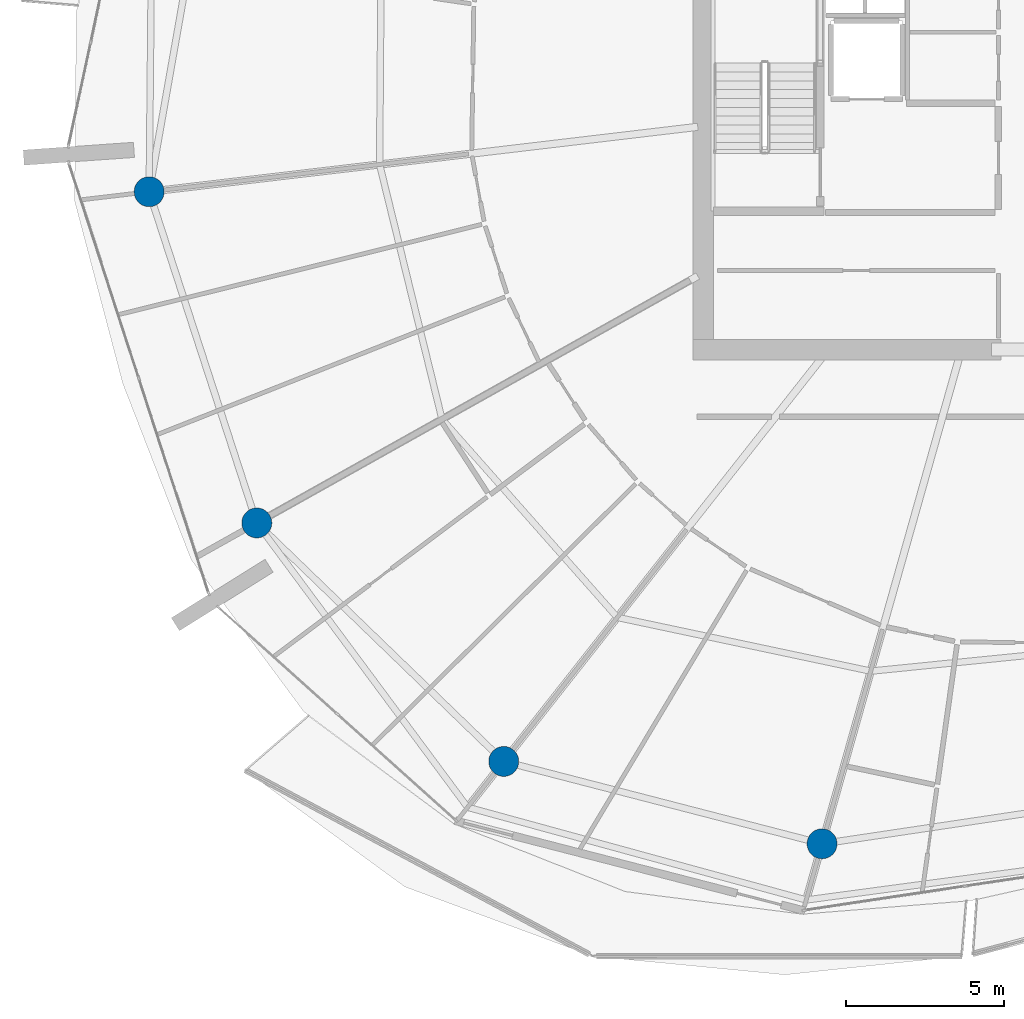
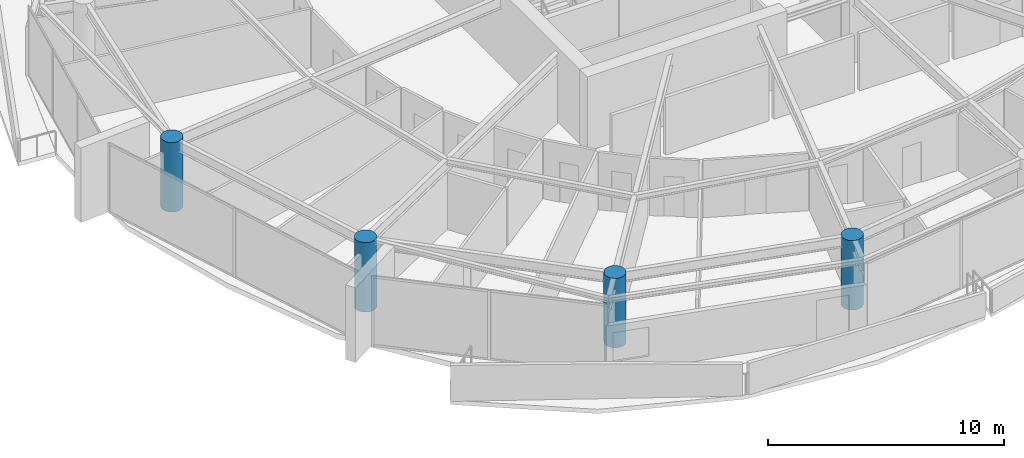
# One storey, part 1 of 31: 4 columns.
"""IFC4 building model written with IfcOpenShell, lengths in metres."""

import ifcopenshell
import ifcopenshell.guid

model = None  # the IFC model being written
_history = None  # IfcOwnerHistory: only IFC2X3 demands one
_inside = {}  # id of a spatial element -> (the spatial element, [elements in it])
_under = {}  # id of a project, library or spatial element -> (it, [spatial elements below it])
_declared = {}  # id of a project -> (the project, [libraries it declares])
_typed = {}  # id of a type object -> (the type object, [elements of that type])
_made_of = {}  # id of a material, layer set ... -> (it, [elements and type objects made of it])


def new_model(schema):
    """Start an empty IFC model of exactly this schema.

    Asked for "IFC4X3", IfcOpenShell would pick the latest addendum, in which some entities
    have other attributes; the version numbers below select the first issue.
    IFC2X3 requires an IfcOwnerHistory on every rooted entity: one is made here for all.
    """
    global model, _history
    if schema == "IFC4X3":
        model = ifcopenshell.file(schema_version=(4, 3, 0, 0))
    else:
        model = ifcopenshell.file(schema=schema)
    _inside.clear()
    _under.clear()
    _declared.clear()
    _typed.clear()
    _made_of.clear()
    _history = None
    if model.schema == "IFC2X3":
        org = make("IfcOrganization", Name="unknown")
        user = make(
            "IfcPersonAndOrganization",
            ThePerson=make("IfcPerson", FamilyName="unknown"),
            TheOrganization=org,
        )
        app = make(
            "IfcApplication",
            ApplicationDeveloper=org,
            Version="unknown",
            ApplicationFullName="unknown",
            ApplicationIdentifier="unknown",
        )
        _history = make(
            "IfcOwnerHistory",
            OwningUser=user,
            OwningApplication=app,
            ChangeAction="ADDED",
            CreationDate=0,
        )
    return model


def make(cls, **values):
    """One entity of the class cls with the attributes given. An attribute that is None is left unset."""
    return model.create_entity(
        cls, **{name: value for name, value in values.items() if value is not None}
    )


def rooted(cls, **values):
    """An entity with a GlobalId (a new one), such as an element, a storey or a relation."""
    return make(cls, GlobalId=ifcopenshell.guid.new(), OwnerHistory=_history, **values)


def si_unit(unit_type, name, prefix=None):
    """IfcSIUnit, for example si_unit("LENGTHUNIT", "METRE", prefix="MILLI")."""
    return make("IfcSIUnit", UnitType=unit_type, Prefix=prefix, Name=name)


def assignment(units):
    """IfcUnitAssignment: the units of a project."""
    return None if units is None else make("IfcUnitAssignment", Units=units)


def point(xyz):
    """IfcCartesianPoint."""
    return None if xyz is None else make("IfcCartesianPoint", Coordinates=xyz)


def direction(xyz):
    """IfcDirection."""
    return None if xyz is None else make("IfcDirection", DirectionRatios=xyz)


def frame(location, z_axis=None, x_axis=None):
    """IfcAxis2Placement3D, a coordinate frame: its origin and axes. An axis left out is left unset."""
    return make(
        "IfcAxis2Placement3D",
        Location=point(location),
        Axis=direction(z_axis),
        RefDirection=direction(x_axis),
    )


def frame_2d(location, x_axis=None):
    """IfcAxis2Placement2D, a coordinate frame in the plane: its origin and x axis."""
    return make(
        "IfcAxis2Placement2D", Location=point(location), RefDirection=direction(x_axis)
    )


def origin():
    """The frame at (0, 0, 0) with its axes left unset."""
    return frame((0.0, 0.0, 0.0))


def origin_2d():
    """The frame at (0, 0) in the plane with its x axis left unset."""
    return frame_2d((0.0, 0.0))


def place(relative_to, where):
    """IfcLocalPlacement: puts the frame where relative to a parent placement (None: the world)."""
    return make(
        "IfcLocalPlacement", PlacementRelTo=relative_to, RelativePlacement=where
    )


def context(
    kind, dimensions, precision=None, world=None, true_north=None, identifier=None
):
    """IfcGeometricRepresentationContext, for example the 3D "Model" context."""
    return make(
        "IfcGeometricRepresentationContext",
        ContextIdentifier=identifier,
        ContextType=kind,
        CoordinateSpaceDimension=dimensions,
        Precision=precision,
        WorldCoordinateSystem=world,
        TrueNorth=true_north,
    )


def subcontext(parent, identifier, kind, view, scale=None):
    """IfcGeometricRepresentationSubContext, for example "Body" below "Model"."""
    return make(
        "IfcGeometricRepresentationSubContext",
        ContextIdentifier=identifier,
        ContextType=kind,
        ParentContext=parent,
        TargetScale=scale,
        TargetView=view,
    )


def project(units=None, contexts=None):
    """IfcProject with its units and contexts."""
    return rooted(
        "IfcProject",
        Name="project",
        RepresentationContexts=contexts,
        UnitsInContext=assignment(units),
    )


def spatial(cls, under=None, at=None, **own):
    """A site, building, storey or space (cls), placed at a placement, below another one or the project."""
    s = rooted(cls, ObjectPlacement=at, **own)
    if under is not None:
        _under.setdefault(under.id(), (under, []))[1].append(s)
    return s


def profile(cls, at=None, kind="AREA", **sizes):
    """A parametric profile (cls). Its sizes go by their IFC names, for example OverallWidth=200.0."""
    return make(cls, ProfileType=kind, Position=at, **sizes)


def circle(**sizes):
    """IfcCircleProfileDef."""
    return profile("IfcCircleProfileDef", **sizes)


def extrude(swept, where, along, depth):
    """IfcExtrudedAreaSolid: the profile swept, set in the frame where, extruded along a direction by depth."""
    return make(
        "IfcExtrudedAreaSolid",
        SweptArea=swept,
        Position=where,
        ExtrudedDirection=direction(along),
        Depth=depth,
    )


def shape(context_of_items, identifier, shape_type, items):
    """IfcShapeRepresentation: the items that make up one representation, for example the "Body"."""
    return make(
        "IfcShapeRepresentation",
        ContextOfItems=context_of_items,
        RepresentationIdentifier=identifier,
        RepresentationType=shape_type,
        Items=items,
    )


def material(Name=None, Category=None):
    """IfcMaterial."""
    return make("IfcMaterial", Name=Name, Category=Category)


def material_profile(
    of_material, cross_section, Name=None, Category=None, Priority=None
):
    """IfcMaterialProfile: a cross section and its material."""
    return make(
        "IfcMaterialProfile",
        Name=Name,
        Material=of_material,
        Profile=cross_section,
        Priority=Priority,
        Category=Category,
    )


def profile_set(profiles, Name=None, composite=None):
    """IfcMaterialProfileSet."""
    return make(
        "IfcMaterialProfileSet",
        Name=Name,
        MaterialProfiles=profiles,
        CompositeProfile=composite,
    )


def made_of(thing, what):
    """Note that an element or type object is made of a material, layer set ...; save() writes the relation."""
    if what is not None:
        _made_of.setdefault(what.id(), (what, []))[1].append(thing)
    return thing


def type_object(cls, material=None, **own):
    """A type object (cls), such as IfcWallType, which elements share."""
    return made_of(rooted(cls, **own), material)


def element(
    cls,
    number,
    at=None,
    inside=None,
    cuts=None,
    type_object=None,
    material=None,
    context=None,
    identifier="Body",
    shape_type=None,
    held_by="IfcProductDefinitionShape",
    body=None,
    shapes=None,
    **own,
):
    """One element of the class cls, such as IfcWall. Its Tag is "e" and its number.

    at: its placement. inside: the storey or other place that contains it. cuts: it is an
    opening in that element (IfcRelVoidsElement). A single representation is given by context,
    identifier, shape_type and body (its items); several are given by shapes. held_by: the class
    of the entity that holds the representations. save() writes the other relations.
    """
    e = rooted(cls, Tag="e%d" % number, ObjectPlacement=at, **own)
    if body is not None:
        shapes = [shape(context, identifier, shape_type, body)]
    if shapes is not None:
        e.Representation = make(held_by, Representations=shapes)
    if inside is not None:
        _inside.setdefault(inside.id(), (inside, []))[1].append(e)
    if cuts is not None:
        rooted(
            "IfcRelVoidsElement", RelatingBuildingElement=cuts, RelatedOpeningElement=e
        )
    if type_object is not None:
        _typed.setdefault(type_object.id(), (type_object, []))[1].append(e)
    return made_of(e, material)


def aggregate(whole, parts):
    """IfcRelAggregates: a whole, such as a stair, and the parts it consists of."""
    return rooted("IfcRelAggregates", RelatingObject=whole, RelatedObjects=parts)


def save(model, path):
    """Write the relations noted so far, then the file.

    IfcRelAggregates (storeys below a building ...), IfcRelContainedInSpatialStructure (elements
    in a storey), IfcRelDefinesByType, IfcRelAssociatesMaterial and IfcRelDeclares: one each for
    every whole, place, type object, material and project.
    """
    for whole, parts in _under.values():
        aggregate(whole, parts)
    for where, things in _inside.values():
        rooted(
            "IfcRelContainedInSpatialStructure",
            RelatedElements=things,
            RelatingStructure=where,
        )
    for kind, things in _typed.values():
        rooted("IfcRelDefinesByType", RelatedObjects=things, RelatingType=kind)
    for what, things in _made_of.values():
        rooted("IfcRelAssociatesMaterial", RelatedObjects=things, RelatingMaterial=what)
    for by, libraries in _declared.values():
        rooted("IfcRelDeclares", RelatingContext=by, RelatedDefinitions=libraries)
    model.write(path)


model = new_model("IFC4")

# Units and contexts
model_context = context("Model", 3, precision=1e-05, world=origin(), true_north=direction((0.0, 1.0)))
body_context = subcontext(model_context, "Body", "Model", "MODEL_VIEW")
ifc_project = project(units=[si_unit("LENGTHUNIT", "METRE"), si_unit("AREAUNIT", "SQUARE_METRE"), si_unit("VOLUMEUNIT", "CUBIC_METRE"), si_unit("PLANEANGLEUNIT", "RADIAN"), si_unit("MASSUNIT", "GRAM", prefix="KILO")], contexts=[model_context])

# Site, building, storey
site_placement = place(None, origin())
site = spatial("IfcSite", under=ifc_project, at=site_placement, CompositionType="ELEMENT")
building_placement = place(site_placement, origin())
building = spatial("IfcBuilding", under=site, at=building_placement, Name="Kazma Halo Residences", CompositionType="ELEMENT")
storey_placement = place(building_placement, frame((0.0, 0.0, 248.25)))
storey = spatial("IfcBuildingStorey", under=building, at=storey_placement, Name="L62", CompositionType="ELEMENT", Elevation=248.25)

# Columns
ifc_material = material(Name="Concrete C60/75", Category="concrete")
ifc_material_profile = material_profile(ifc_material, circle(Radius=0.47509765625, at=origin_2d()), Name="CIRC950")
ifc_profile_set = profile_set([ifc_material_profile], Name="Concrete C60/75")
column_type = type_object("IfcColumnType", Name="COL-PERIM-950", PredefinedType="COLUMN", material=ifc_profile_set)
for number, where, z_axis, x_axis, name in (
    (1, (19.92041015625, 38.676513671875, 0.0), (0.0, 0.0, 1.0), (1.0, 0.0, 0.0), "L62 perimeter ring column P08"),
    (2, (23.32958984375, 28.18408203125, 0.0), (0.0, 0.0, 1.0), (1.0, 0.0, 0.0), "L62 perimeter ring column P09"),
    (3, (31.15283203125, 20.62939453125, 0.0), (0.0, 0.0, 1.0), (1.0, 0.0, 0.0), "L62 perimeter ring column P10"),
    (4, (41.237060546875, 18.0205078125, 0.0), (0.0, 0.0, 1.0), (1.0, 0.0, 0.0), "L62 perimeter ring column P11"),
):
    element("IfcColumn", number, at=place(storey_placement, frame(where, z_axis=z_axis, x_axis=x_axis)), inside=storey, type_object=column_type, Name=name, PredefinedType="COLUMN", context=body_context, shape_type="SweptSolid", body=[
        extrude(circle(Radius=0.47509765625, at=origin_2d()), origin(), (0.0, 0.0, 1.0), 3.590087890625),
    ])

save(model, "model.ifc")
